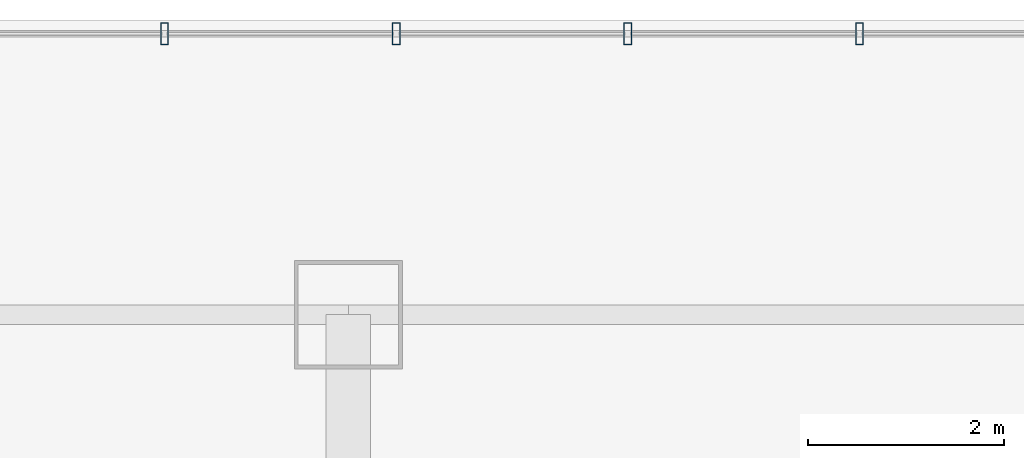
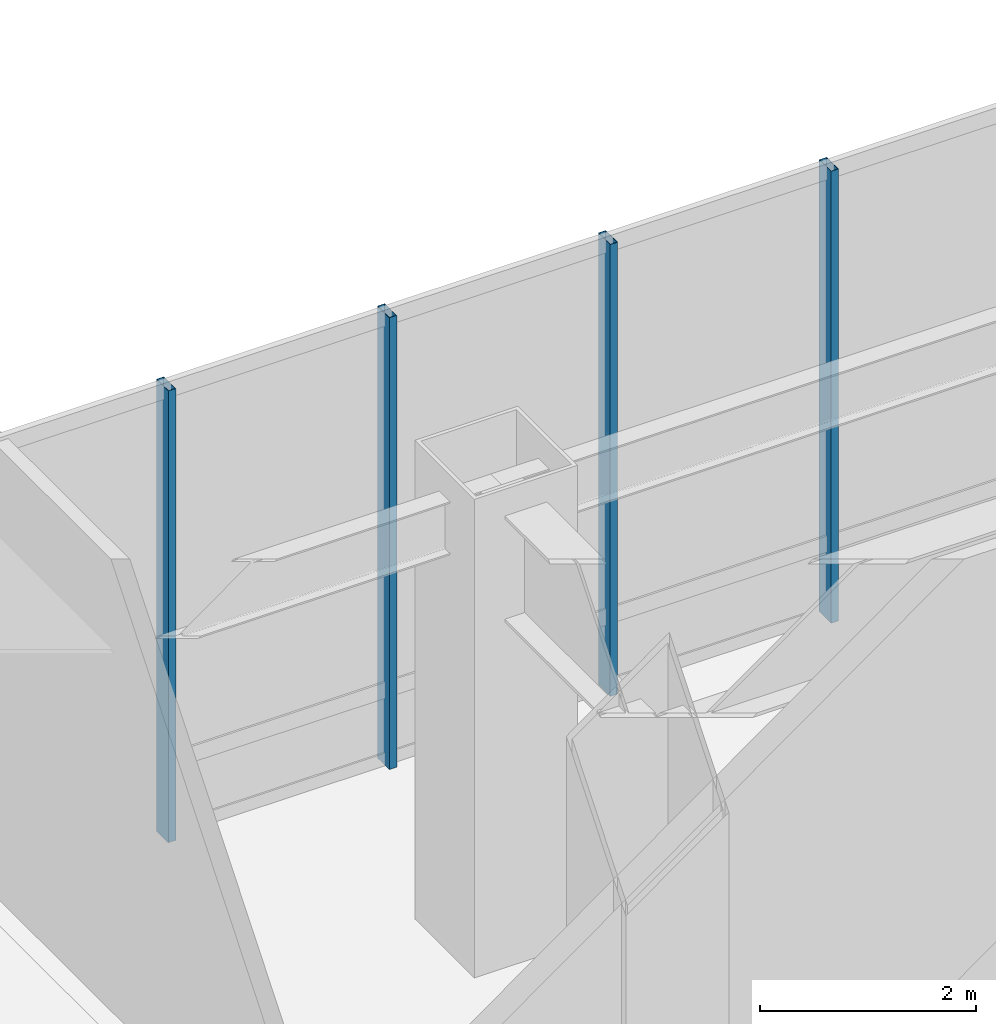
# One storey, part 18 of 35: 4 members, 1 element without a shape of its own.
"""IFC4 building model written with IfcOpenShell, lengths in metres."""

from ifc_helpers import new_model, si_unit, direction, frame, origin, origin_2d, place, context, subcontext, project, spatial, hollow_rectangle, extrude, material, layer, layer_set, material_profile, profile_set, type_object, element, aggregate, save


model = new_model("IFC4")

# Units and contexts
model_context = context("Model", 3, precision=1e-05, world=origin(), true_north=direction((0.0, 1.0)))
body_context = subcontext(model_context, "Body", "Model", "MODEL_VIEW")
ifc_project = project(units=[si_unit("LENGTHUNIT", "METRE"), si_unit("AREAUNIT", "SQUARE_METRE"), si_unit("VOLUMEUNIT", "CUBIC_METRE"), si_unit("PLANEANGLEUNIT", "RADIAN"), si_unit("MASSUNIT", "GRAM", prefix="KILO")], contexts=[model_context])

# Site, building, storey
site_placement = place(None, origin())
site = spatial("IfcSite", under=ifc_project, at=site_placement, CompositionType="ELEMENT")
building_placement = place(site_placement, origin())
building = spatial("IfcBuilding", under=site, at=building_placement, Name="Hatsunagi Terrace Concourse", CompositionType="ELEMENT")
storey_placement = place(building_placement, frame((0.0, 0.0, 10.800048828125)))
storey = spatial("IfcBuildingStorey", under=building, at=storey_placement, Name="L03", CompositionType="ELEMENT", Elevation=10.800048828125)

# Curtain wall, members
ifc_material_1 = material(Name="Anodised Aluminium Alloy 6063-T5", Category="aluminium")
ifc_layer = layer(ifc_material_1, 0.199951171875)
ifc_layer_set = layer_set([ifc_layer], Name="PodiumStorefront_CW01")
curtain_wall_type = type_object("IfcCurtainWallType", Name="PodiumStorefront_CW01", PredefinedType="NOTDEFINED", material=ifc_layer_set)
curtain_wall_placement = place(storey_placement, origin())
curtain_wall = element("IfcCurtainWall", 1, at=curtain_wall_placement, inside=storey, type_object=curtain_wall_type, Name="Unitised Curtain Wall CW-01 CW-L03-12", PredefinedType="NOTDEFINED")
ifc_material_2 = material(Name="Anodised Aluminium Alloy 6063-T5", Category="aluminium")
ifc_material_profile = material_profile(ifc_material_2, hollow_rectangle(XDim=0.080078125, YDim=0.219970703125, WallThickness=0.0048828125, at=origin_2d()), Name="ALU-MUL-220x80x5")
ifc_profile_set = profile_set([ifc_material_profile], Name="Anodised Aluminium Alloy 6063-T5")
member_type = type_object("IfcMemberType", Name="CurtainWallMullion_Heavy_220x80", PredefinedType="MULLION", material=ifc_profile_set)
member_1_placement = place(storey_placement, frame((23.678955078125, 51.4599609375, 0.0), z_axis=(0.0, 0.0, 1.0), x_axis=(1.0, 0.0, 0.0)))
member_1 = element("IfcMember", 2, at=member_1_placement, type_object=member_type, Name="Curtain Wall Mullion MUL-01", PredefinedType="MULLION", context=body_context, shape_type="SweptSolid", body=[
    extrude(hollow_rectangle(XDim=0.080078125, YDim=0.219970703125, WallThickness=0.0048828125, at=origin_2d()), origin(), (0.0, 0.0, 1.0), 5.099853515625),
])
member_2_placement = place(storey_placement, frame((26.037109375, 51.4599609375, 0.0), z_axis=(0.0, 0.0, 1.0), x_axis=(1.0, 0.0, 0.0)))
member_2 = element("IfcMember", 3, at=member_2_placement, type_object=member_type, Name="Curtain Wall Mullion MUL-01", PredefinedType="MULLION", context=body_context, shape_type="SweptSolid", body=[
    extrude(hollow_rectangle(XDim=0.080078125, YDim=0.219970703125, WallThickness=0.0048828125, at=origin_2d()), origin(), (0.0, 0.0, 1.0), 5.099853515625),
])
member_3_placement = place(storey_placement, frame((28.39501953125, 51.4599609375, 0.0), z_axis=(0.0, 0.0, 1.0), x_axis=(1.0, 0.0, 0.0)))
member_3 = element("IfcMember", 4, at=member_3_placement, type_object=member_type, Name="Curtain Wall Mullion MUL-01", PredefinedType="MULLION", context=body_context, shape_type="SweptSolid", body=[
    extrude(hollow_rectangle(XDim=0.080078125, YDim=0.219970703125, WallThickness=0.0048828125, at=origin_2d()), origin(), (0.0, 0.0, 1.0), 5.099853515625),
])
member_4_placement = place(storey_placement, frame((30.7529296875, 51.4599609375, 0.0), z_axis=(0.0, 0.0, 1.0), x_axis=(1.0, 0.0, 0.0)))
member_4 = element("IfcMember", 5, at=member_4_placement, type_object=member_type, Name="Curtain Wall Mullion MUL-01", PredefinedType="MULLION", context=body_context, shape_type="SweptSolid", body=[
    extrude(hollow_rectangle(XDim=0.080078125, YDim=0.219970703125, WallThickness=0.0048828125, at=origin_2d()), origin(), (0.0, 0.0, 1.0), 5.099853515625),
])
aggregate(curtain_wall, [member_1, member_2, member_3, member_4])

save(model, "model.ifc")
